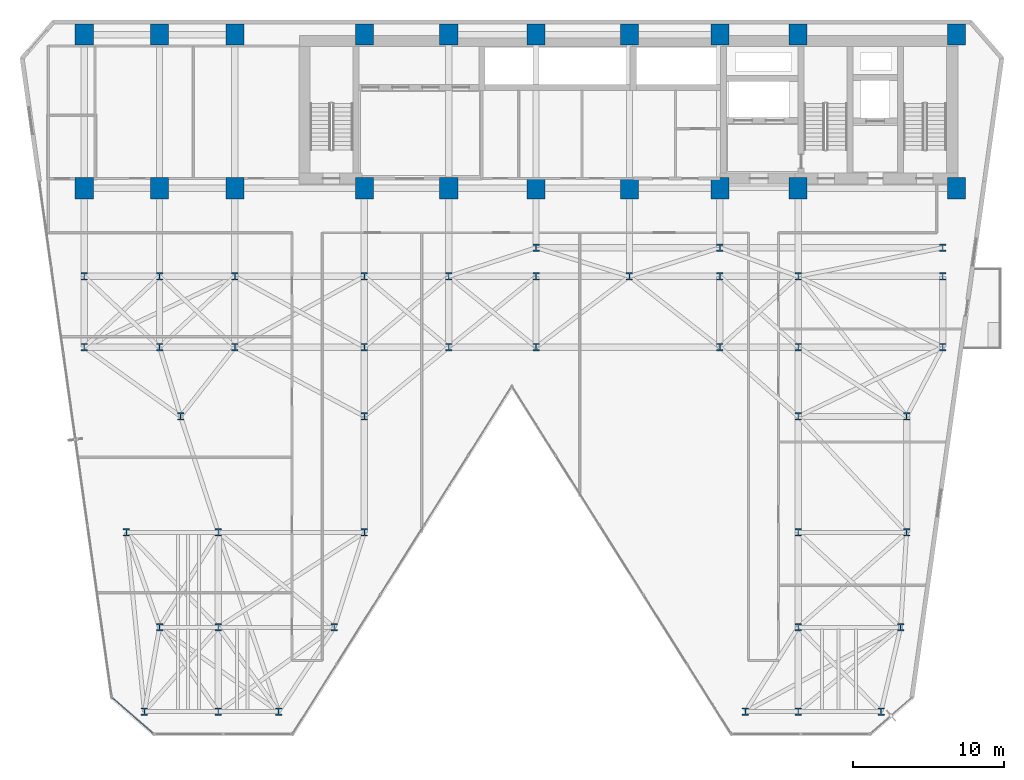
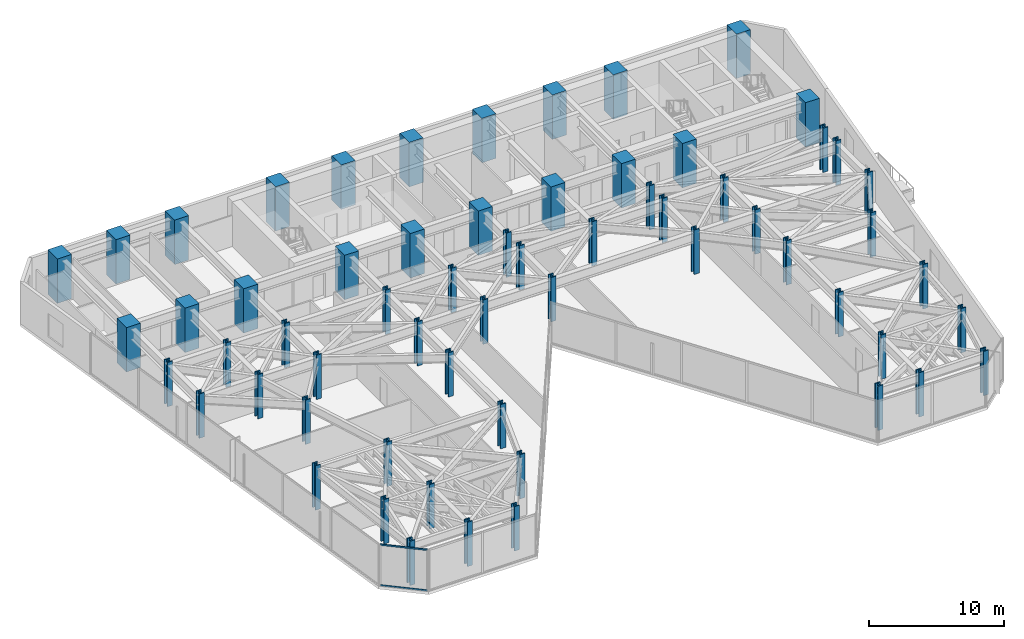
# One storey, part 1 of 25: 62 columns, 2 members, 1 element without a shape of its own.
"""IFC4 building model written with IfcOpenShell, lengths in metres."""

from ifc_helpers import new_model, si_unit, direction, frame, origin, origin_2d, place, context, subcontext, project, spatial, rectangle, hollow_rectangle, i_section, extrude, material, layer, layer_set, material_profile, profile_set, type_object, element, aggregate, save


model = new_model("IFC4")

# Units and contexts
model_context = context("Model", 3, precision=1e-05, world=origin(), true_north=direction((0.0, 1.0)))
body_context = subcontext(model_context, "Body", "Model", "MODEL_VIEW")
ifc_project = project(units=[si_unit("LENGTHUNIT", "METRE"), si_unit("AREAUNIT", "SQUARE_METRE"), si_unit("VOLUMEUNIT", "CUBIC_METRE"), si_unit("PLANEANGLEUNIT", "RADIAN"), si_unit("MASSUNIT", "GRAM", prefix="KILO")], contexts=[model_context])

# Site, building, storey
site_placement = place(None, origin())
site = spatial("IfcSite", under=ifc_project, at=site_placement, CompositionType="ELEMENT")
building_placement = place(site_placement, origin())
building = spatial("IfcBuilding", under=site, at=building_placement, Name="Kravanh Interchange Tower", CompositionType="ELEMENT")
storey_placement = place(building_placement, frame((0.0, 0.0, 81.5)))
storey = spatial("IfcBuildingStorey", under=building, at=storey_placement, Name="L19", CompositionType="ELEMENT", Elevation=81.5)

# Columns
ifc_material_1 = material(Name="Concrete C70/85", Category="concrete")
ifc_material_profile_1 = material_profile(ifc_material_1, rectangle(XDim=1.199951171875, YDim=1.39990234375, at=origin_2d()), Name="RC1200X1400")
ifc_profile_set_1 = profile_set([ifc_material_profile_1], Name="Concrete C70/85")
column_type_1 = type_object("IfcColumnType", Name="Column RC1200X1400 Concrete C70/85", PredefinedType="COLUMN", material=ifc_profile_set_1)
for number, where, z_axis, x_axis, name in (
    (1, (66.5, 47.550048828125, 0.0), (0.0, 0.0, 1.0), (1.0, 0.0, 0.0), "L19 Column CS01"),
    (2, (56.0, 47.550048828125, 0.0), (0.0, 0.0, 1.0), (1.0, 0.0, 0.0), "L19 Column CS02"),
    (3, (66.5, 37.35009765625, 0.0), (0.0, 0.0, 1.0), (1.0, 0.0, 0.0), "L19 Column CS03"),
    (4, (56.0, 37.35009765625, 0.0), (0.0, 0.0, 1.0), (1.0, 0.0, 0.0), "L19 Column CS04"),
    (5, (50.800048828125, 47.550048828125, 0.0), (0.0, 0.0, 1.0), (1.0, 0.0, 0.0), "L19 Column CS05"),
    (6, (50.800048828125, 37.35009765625, 0.0), (0.0, 0.0, 1.0), (1.0, 0.0, 0.0), "L19 Column CS06"),
    (7, (44.800048828125, 37.35009765625, 0.0), (0.0, 0.0, 1.0), (1.0, 0.0, 0.0), "L19 Column CS07"),
    (8, (44.800048828125, 47.550048828125, 0.0), (0.0, 0.0, 1.0), (1.0, 0.0, 0.0), "L19 Column CS08"),
    (9, (38.60009765625, 37.35009765625, 0.0), (0.0, 0.0, 1.0), (1.0, 0.0, 0.0), "L19 Column CS09"),
    (10, (38.60009765625, 47.550048828125, 0.0), (0.0, 0.0, 1.0), (1.0, 0.0, 0.0), "L19 Column CS10"),
    (11, (32.800048828125, 37.35009765625, 0.0), (0.0, 0.0, 1.0), (1.0, 0.0, 0.0), "L19 Column CS11"),
    (12, (32.800048828125, 47.550048828125, 0.0), (0.0, 0.0, 1.0), (1.0, 0.0, 0.0), "L19 Column CS12"),
    (13, (27.199951171875, 37.35009765625, 0.0), (0.0, 0.0, 1.0), (1.0, 0.0, 0.0), "L19 Column CS13"),
    (14, (27.199951171875, 47.550048828125, 0.0), (0.0, 0.0, 1.0), (1.0, 0.0, 0.0), "L19 Column CS14"),
    (15, (18.60009765625, 37.35009765625, 0.0), (0.0, 0.0, 1.0), (1.0, 0.0, 0.0), "L19 Column CS17"),
    (16, (18.60009765625, 47.550048828125, 0.0), (0.0, 0.0, 1.0), (1.0, 0.0, 0.0), "L19 Column CS18"),
    (17, (13.60009765625, 37.35009765625, 0.0), (0.0, 0.0, 1.0), (1.0, 0.0, 0.0), "L19 Column CS19"),
    (18, (13.60009765625, 47.550048828125, 0.0), (0.0, 0.0, 1.0), (1.0, 0.0, 0.0), "L19 Column CS20"),
    (19, (8.60009765625, 37.35009765625, 0.0), (0.0, 0.0, 1.0), (1.0, 0.0, 0.0), "L19 Column CS21"),
    (20, (8.60009765625, 47.550048828125, 0.0), (0.0, 0.0, 1.0), (1.0, 0.0, 0.0), "L19 Column CS22"),
):
    element("IfcColumn", number, at=place(storey_placement, frame(where, z_axis=z_axis, x_axis=x_axis)), inside=storey, type_object=column_type_1, Name=name, PredefinedType="COLUMN", context=body_context, shape_type="SweptSolid", body=[
        extrude(rectangle(XDim=1.199951171875, YDim=1.39990234375, at=origin_2d()), origin(), (0.0, 0.0, 1.0), 4.0),
    ])
ifc_material_2 = material(Name="Structural Steel S450", Category="steel")
ifc_material_profile_2 = material_profile(ifc_material_2, i_section(OverallWidth=0.431884765625, OverallDepth=0.498046875, WebThickness=0.0556640625, FlangeThickness=0.0888671875, FilletRadius=0.030029296875, at=origin_2d()), Name="W14X500")
ifc_profile_set_2 = profile_set([ifc_material_profile_2], Name="Structural Steel S450")
column_type_2 = type_object("IfcColumnType", Name="Column W14X500 Structural Steel S450", PredefinedType="COLUMN", material=ifc_profile_set_2)
for number, where, z_axis, x_axis, name in (
    (21, (12.60009765625, 2.60009765625, 0.0), (0.0, 0.0, 1.0), (1.0, 0.0, 0.0), "L19 Column CZ1_1"),
    (22, (56.0, 14.5, 0.0), (0.0, 0.0, 1.0), (1.0, 0.0, 0.0), "L19 Column CZ1_10"),
    (23, (63.199951171875, 14.5, 0.0), (0.0, 0.0, 1.0), (1.0, 0.0, 0.0), "L19 Column CZ1_11"),
    (24, (15.0, 22.199951171875, 0.0), (0.0, 0.0, 1.0), (1.0, 0.0, 0.0), "L19 Column CZ1_11B"),
    (25, (27.199951171875, 22.199951171875, 0.0), (0.0, 0.0, 1.0), (1.0, 0.0, 0.0), "L19 Column CZ1_11C"),
    (26, (56.0, 22.199951171875, 0.0), (0.0, 0.0, 1.0), (1.0, 0.0, 0.0), "L19 Column CZ1_11D"),
    (27, (63.199951171875, 22.199951171875, 0.0), (0.0, 0.0, 1.0), (1.0, 0.0, 0.0), "L19 Column CZ1_11E"),
    (28, (8.60009765625, 26.800048828125, 0.0), (0.0, 0.0, 1.0), (1.0, 0.0, 0.0), "L19 Column CZ1_12"),
    (29, (13.60009765625, 26.800048828125, 0.0), (0.0, 0.0, 1.0), (1.0, 0.0, 0.0), "L19 Column CZ1_13"),
    (30, (18.60009765625, 26.800048828125, 0.0), (0.0, 0.0, 1.0), (1.0, 0.0, 0.0), "L19 Column CZ1_14"),
    (31, (27.199951171875, 26.800048828125, 0.0), (0.0, 0.0, 1.0), (1.0, 0.0, 0.0), "L19 Column CZ1_15"),
    (32, (32.800048828125, 26.800048828125, 0.0), (0.0, 0.0, 1.0), (1.0, 0.0, 0.0), "L19 Column CZ1_16"),
    (33, (38.60009765625, 26.800048828125, 0.0), (0.0, 0.0, 1.0), (1.0, 0.0, 0.0), "L19 Column CZ1_16B"),
    (34, (50.800048828125, 26.800048828125, 0.0), (0.0, 0.0, 1.0), (1.0, 0.0, 0.0), "L19 Column CZ1_17"),
    (35, (56.0, 26.800048828125, 0.0), (0.0, 0.0, 1.0), (1.0, 0.0, 0.0), "L19 Column CZ1_18"),
    (36, (65.60009765625, 26.800048828125, 0.0), (0.0, 0.0, 1.0), (1.0, 0.0, 0.0), "L19 Column CZ1_19"),
    (37, (8.60009765625, 31.5, 0.0), (0.0, 0.0, 1.0), (1.0, 0.0, 0.0), "L19 Column CZ1_19B"),
    (38, (13.60009765625, 31.5, 0.0), (0.0, 0.0, 1.0), (1.0, 0.0, 0.0), "L19 Column CZ1_19C"),
    (39, (17.5, 2.60009765625, 0.0), (0.0, 0.0, 1.0), (1.0, 0.0, 0.0), "L19 Column CZ1_2"),
    (40, (18.60009765625, 31.5, 0.0), (0.0, 0.0, 1.0), (1.0, 0.0, 0.0), "L19 Column CZ1_20"),
    (41, (27.199951171875, 31.5, 0.0), (0.0, 0.0, 1.0), (1.0, 0.0, 0.0), "L19 Column CZ1_21"),
    (42, (32.800048828125, 31.5, 0.0), (0.0, 0.0, 1.0), (1.0, 0.0, 0.0), "L19 Column CZ1_22"),
    (43, (38.60009765625, 31.5, 0.0), (0.0, 0.0, 1.0), (1.0, 0.0, 0.0), "L19 Column CZ1_23"),
    (44, (44.800048828125, 31.5, 0.0), (0.0, 0.0, 1.0), (1.0, 0.0, 0.0), "L19 Column CZ1_24"),
    (45, (50.800048828125, 31.5, 0.0), (0.0, 0.0, 1.0), (1.0, 0.0, 0.0), "L19 Column CZ1_25"),
    (46, (56.0, 31.5, 0.0), (0.0, 0.0, 1.0), (1.0, 0.0, 0.0), "L19 Column CZ1_26"),
    (47, (65.60009765625, 31.5, 0.0), (0.0, 0.0, 1.0), (1.0, 0.0, 0.0), "L19 Column CZ1_27"),
    (48, (21.5, 2.60009765625, 0.0), (0.0, 0.0, 1.0), (1.0, 0.0, 0.0), "L19 Column CZ1_3"),
    (49, (52.5, 2.60009765625, 0.0), (0.0, 0.0, 1.0), (1.0, 0.0, 0.0), "L19 Column CZ1_4"),
    (50, (56.0, 2.60009765625, 0.0), (0.0, 0.0, 1.0), (1.0, 0.0, 0.0), "L19 Column CZ1_5"),
    (51, (61.5, 2.60009765625, 0.0), (0.0, 0.0, 1.0), (1.0, 0.0, 0.0), "L19 Column CZ1_5B"),
    (52, (13.60009765625, 8.199951171875, 0.0), (0.0, 0.0, 1.0), (1.0, 0.0, 0.0), "L19 Column CZ1_6"),
    (53, (17.5, 8.199951171875, 0.0), (0.0, 0.0, 1.0), (1.0, 0.0, 0.0), "L19 Column CZ1_6B"),
    (54, (25.199951171875, 8.199951171875, 0.0), (0.0, 0.0, 1.0), (1.0, 0.0, 0.0), "L19 Column CZ1_6C"),
    (55, (56.0, 8.199951171875, 0.0), (0.0, 0.0, 1.0), (1.0, 0.0, 0.0), "L19 Column CZ1_6D"),
    (56, (62.800048828125, 8.199951171875, 0.0), (0.0, 0.0, 1.0), (1.0, 0.0, 0.0), "L19 Column CZ1_6E"),
    (57, (11.39990234375, 14.5, 0.0), (0.0, 0.0, 1.0), (1.0, 0.0, 0.0), "L19 Column CZ1_7"),
    (58, (17.5, 14.5, 0.0), (0.0, 0.0, 1.0), (1.0, 0.0, 0.0), "L19 Column CZ1_7B"),
    (59, (27.199951171875, 14.5, 0.0), (0.0, 0.0, 1.0), (1.0, 0.0, 0.0), "L19 Column CZ1_8"),
    (60, (38.60009765625, 33.39990234375, 0.0), (0.0, 0.0, 1.0), (1.0, 0.0, 0.0), "L19 Column CZ1_M1"),
    (61, (50.800048828125, 33.39990234375, 0.0), (0.0, 0.0, 1.0), (1.0, 0.0, 0.0), "L19 Column CZ1_M2"),
    (62, (65.60009765625, 33.39990234375, 0.0), (0.0, 0.0, 1.0), (1.0, 0.0, 0.0), "L19 Column CZ1_M3"),
):
    element("IfcColumn", number, at=place(storey_placement, frame(where, z_axis=z_axis, x_axis=x_axis)), inside=storey, type_object=column_type_2, Name=name, PredefinedType="COLUMN", context=body_context, shape_type="SweptSolid", body=[
        extrude(i_section(OverallWidth=0.431884765625, OverallDepth=0.498046875, WebThickness=0.0556640625, FlangeThickness=0.0888671875, FilletRadius=0.030029296875, at=origin_2d()), origin(), (0.0, 0.0, 1.0), 4.0),
    ])

# Curtain wall, members
ifc_material_3 = material(Name="Anodised Bronze Aluminium", Category="aluminium")
ifc_layer = layer(ifc_material_3, 0.179931640625)
ifc_layer_set = layer_set([ifc_layer], Name="Unitised Curtain Wall System CW-Z1 Lower Office")
curtain_wall_type = type_object("IfcCurtainWallType", Name="Unitised Curtain Wall System CW-Z1 Lower Office", PredefinedType="NOTDEFINED", material=ifc_layer_set)
curtain_wall_placement = place(storey_placement, origin())
curtain_wall = element("IfcCurtainWall", 63, at=curtain_wall_placement, inside=storey, type_object=curtain_wall_type, Name="L19 Unitised Curtain Wall CW-L19-07", PredefinedType="NOTDEFINED")
ifc_material_4 = material(Name="Anodised Bronze Aluminium", Category="aluminium")
ifc_material_profile_3 = material_profile(ifc_material_4, hollow_rectangle(XDim=0.06005859375, YDim=0.139892578125, WallThickness=0.00390625, at=origin_2d()), Name="ALU60X140X4")
ifc_profile_set_3 = profile_set([ifc_material_profile_3], Name="Anodised Bronze Aluminium")
member_type = type_object("IfcMemberType", Name="Curtain Wall Transom ALU60X140X4 Bronze", PredefinedType="USERDEFINED", material=ifc_profile_set_3)
member_1_placement = place(storey_placement, frame((13.167724609375, 1.166015625, 0.030029296875), z_axis=(-0.754710815466, 0.656057608004, 0.0), x_axis=(-0.656057608004, -0.754710815466, 0.0)))
member_1 = element("IfcMember", 64, at=member_1_placement, type_object=member_type, Name="CW-Z1 transom 1.1", ObjectType="TRANSOM", PredefinedType="USERDEFINED", context=body_context, shape_type="SweptSolid", body=[
    extrude(hollow_rectangle(XDim=0.06005859375, YDim=0.139892578125, WallThickness=0.00390625, at=origin_2d()), origin(), (0.0, 0.0, 1.0), 3.543701171875),
])
member_2_placement = place(storey_placement, frame((13.167724609375, 1.166015625, 3.68994140625), z_axis=(-0.754710815466, 0.656057608004, 0.0), x_axis=(-0.656057608004, -0.754710815466, 0.0)))
member_2 = element("IfcMember", 65, at=member_2_placement, type_object=member_type, Name="CW-Z1 transom 1.2", ObjectType="TRANSOM", PredefinedType="USERDEFINED", context=body_context, shape_type="SweptSolid", body=[
    extrude(hollow_rectangle(XDim=0.06005859375, YDim=0.139892578125, WallThickness=0.00390625, at=origin_2d()), origin(), (0.0, 0.0, 1.0), 3.543701171875),
])
aggregate(curtain_wall, [member_1, member_2])

save(model, "model.ifc")
